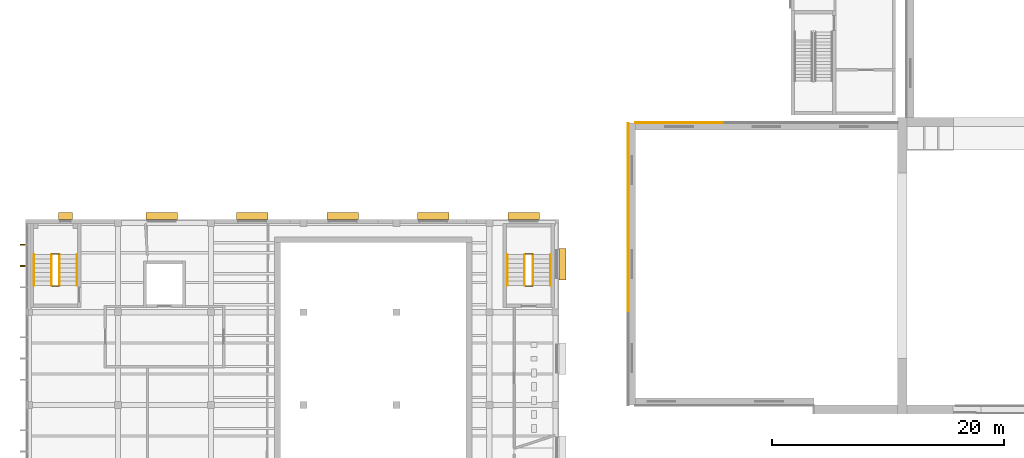
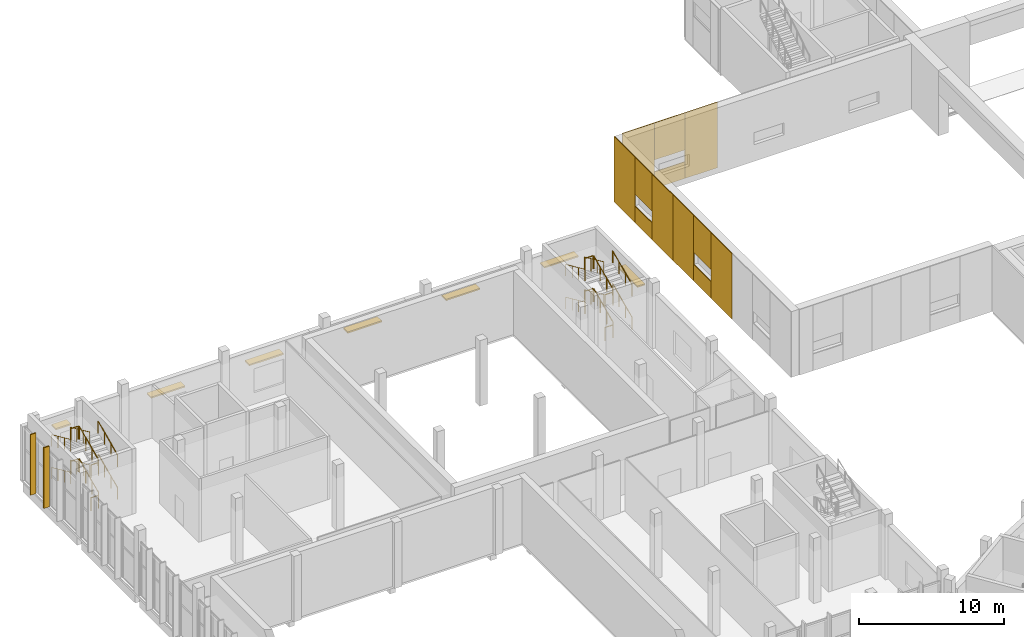
# One storey, part 65 of 87: 24 railings, 12 coverings, 9 shading devices.
"""IFC4 building model written with IfcOpenShell, lengths in metres."""

from ifc_helpers import new_model, si_unit, direction, frame, origin, origin_2d, place, context, subcontext, project, spatial, rectangle, circle, extrude, material, layer, layer_set, type_object, element, save


model = new_model("IFC4")

# Units and contexts
model_context = context("Model", 3, precision=1e-05, world=origin(), true_north=direction((0.0, 1.0)))
body_context = subcontext(model_context, "Body", "Model", "MODEL_VIEW")
ifc_project = project(units=[si_unit("LENGTHUNIT", "METRE"), si_unit("AREAUNIT", "SQUARE_METRE"), si_unit("VOLUMEUNIT", "CUBIC_METRE"), si_unit("PLANEANGLEUNIT", "RADIAN"), si_unit("MASSUNIT", "GRAM", prefix="KILO")], contexts=[model_context])

# Site, building, storey
site_placement = place(None, origin())
site = spatial("IfcSite", under=ifc_project, at=site_placement, CompositionType="ELEMENT")
building_placement = place(site_placement, origin())
building = spatial("IfcBuilding", under=site, at=building_placement, Name="Lunette Opera House", CompositionType="ELEMENT")
storey_placement = place(building_placement, frame((0.0, 0.0, 11.5)))
storey = spatial("IfcBuildingStorey", under=building, at=storey_placement, Name="L02", CompositionType="ELEMENT", Elevation=11.5)

# Shading devices
ifc_material_1 = material(Name="Powder-coated aluminium", Category="aluminium")
shading_device_type_1 = type_object("IfcShadingDeviceType", Name="SOLAR FIN 100 X 450", PredefinedType="USERDEFINED", material=ifc_material_1)
for number, where, z_axis, x_axis, name in (
    (1, (7.76708984375, 109.80908203125, 0.115478515625), (0.0, 0.0, 1.0), (-1.0, 0.0, 0.0), "Solar fin RW-X2029 1"),
    (2, (7.76708984375, 107.98291015625, 0.115478515625), (0.0, 0.0, 1.0), (-1.0, 0.0, 0.0), "Solar fin RW-X2029 2"),
):
    element("IfcShadingDevice", number, at=place(storey_placement, frame(where, z_axis=z_axis, x_axis=x_axis)), inside=storey, type_object=shading_device_type_1, Name=name, ObjectType="SOLAR FIN", PredefinedType="USERDEFINED", context=body_context, shape_type="SweptSolid", body=[
        extrude(rectangle(XDim=0.449951171875, YDim=0.10009765625, at=origin_2d()), origin(), (0.0, 0.0, 1.0), 5.0849609375),
    ])

# Railings
ifc_material_2 = material(Name="Steel S355", Category="steel")
railing_type_1 = type_object("IfcRailingType", Name="STAIR GUARD 1100", PredefinedType="GUARDRAIL", material=ifc_material_2)
railing_1_placement = place(storey_placement, frame((10.949951171875, 106.300048828125, 0.171875)))
element("IfcRailing", 3, at=railing_1_placement, inside=storey, type_object=railing_type_1, Name="L02 ST15 stair guard 1", PredefinedType="GUARDRAIL", context=body_context, shape_type="SweptSolid", body=[
    extrude(circle(Radius=0.02392578125, at=origin_2d()), frame((0.0, 0.0, 1.076171875), z_axis=(0.0, 0.911129605887, 0.412119935549), x_axis=(-1.0, 0.0, 0.0)), (0.0, 0.0, 1.0), 2.91943359375),
    extrude(circle(Radius=0.02099609375, at=origin_2d()), origin(), (0.0, 0.0, 1.0), 1.052001953125),
    extrude(circle(Radius=0.02099609375, at=origin_2d()), frame((0.0, 0.88671875, 0.401123046875)), (0.0, 0.0, 1.0), 1.052001953125),
    extrude(circle(Radius=0.02099609375, at=origin_2d()), frame((0.0, 1.773193359375, 0.802001953125)), (0.0, 0.0, 1.0), 1.052001953125),
    extrude(circle(Radius=0.02099609375, at=origin_2d()), frame((0.0, 2.659912109375, 1.203125)), (0.0, 0.0, 1.0), 1.052001953125),
])
railing_2_placement = place(storey_placement, frame((10.89990234375, 109.010009765625, 1.375)))
element("IfcRailing", 4, at=railing_2_placement, inside=storey, type_object=railing_type_1, Name="L02 ST15 stair guard 2", PredefinedType="GUARDRAIL", context=body_context, shape_type="SweptSolid", body=[
    extrude(circle(Radius=0.02392578125, at=origin_2d()), frame((0.0, 0.0, 1.076171875), z_axis=(-1.0, 0.0, 0.0), x_axis=(0.0, -1.0, 0.0)), (0.0, 0.0, 1.0), 0.599853515625),
    extrude(circle(Radius=0.02099609375, at=origin_2d()), origin(), (0.0, 0.0, 1.0), 1.052001953125),
    extrude(circle(Radius=0.02099609375, at=origin_2d()), frame((-0.599853515625, 0.0, 0.0)), (0.0, 0.0, 1.0), 1.052001953125),
])
railing_3_placement = place(storey_placement, frame((10.25, 108.9599609375, 1.546875)))
element("IfcRailing", 5, at=railing_3_placement, inside=storey, type_object=railing_type_1, Name="L02 ST15 stair guard 3", PredefinedType="GUARDRAIL", context=body_context, shape_type="SweptSolid", body=[
    extrude(circle(Radius=0.02392578125, at=origin_2d()), frame((0.0, 0.0, 1.076171875), z_axis=(0.0, -0.911129605887, 0.412119935549), x_axis=(1.0, 0.0, 0.0)), (0.0, 0.0, 1.0), 2.91943359375),
    extrude(circle(Radius=0.02099609375, at=origin_2d()), origin(), (0.0, 0.0, 1.0), 1.052001953125),
    extrude(circle(Radius=0.02099609375, at=origin_2d()), frame((0.0, -0.88671875, 0.401123046875)), (0.0, 0.0, 1.0), 1.052001953125),
    extrude(circle(Radius=0.02099609375, at=origin_2d()), frame((0.0, -1.773193359375, 0.802001953125)), (0.0, 0.0, 1.0), 1.052001953125),
    extrude(circle(Radius=0.02099609375, at=origin_2d()), frame((0.0, -2.659912109375, 1.203125)), (0.0, 0.0, 1.0), 1.052001953125),
])
railing_4_placement = place(storey_placement, frame((10.89990234375, 106.25, 2.75)))
element("IfcRailing", 6, at=railing_4_placement, inside=storey, type_object=railing_type_1, Name="L02 ST15 stair guard 4", PredefinedType="GUARDRAIL", context=body_context, shape_type="SweptSolid", body=[
    extrude(circle(Radius=0.02392578125, at=origin_2d()), frame((0.0, 0.0, 1.076171875), z_axis=(-1.0, 0.0, 0.0), x_axis=(0.0, -1.0, 0.0)), (0.0, 0.0, 1.0), 0.599853515625),
    extrude(circle(Radius=0.02099609375, at=origin_2d()), origin(), (0.0, 0.0, 1.0), 1.052001953125),
    extrude(circle(Radius=0.02099609375, at=origin_2d()), frame((-0.599853515625, 0.0, 0.0)), (0.0, 0.0, 1.0), 1.052001953125),
])
railing_5_placement = place(storey_placement, frame((10.949951171875, 106.300048828125, 2.921875)))
element("IfcRailing", 7, at=railing_5_placement, inside=storey, type_object=railing_type_1, Name="L02 ST15 stair guard 5", PredefinedType="GUARDRAIL", context=body_context, shape_type="SweptSolid", body=[
    extrude(circle(Radius=0.02392578125, at=origin_2d()), frame((0.0, 0.0, 1.076171875), z_axis=(0.0, 0.911129605887, 0.412119935549), x_axis=(-1.0, 0.0, 0.0)), (0.0, 0.0, 1.0), 2.91943359375),
    extrude(circle(Radius=0.02099609375, at=origin_2d()), origin(), (0.0, 0.0, 1.0), 1.052001953125),
    extrude(circle(Radius=0.02099609375, at=origin_2d()), frame((0.0, 0.88671875, 0.401123046875)), (0.0, 0.0, 1.0), 1.052001953125),
    extrude(circle(Radius=0.02099609375, at=origin_2d()), frame((0.0, 1.773193359375, 0.802001953125)), (0.0, 0.0, 1.0), 1.052001953125),
    extrude(circle(Radius=0.02099609375, at=origin_2d()), frame((0.0, 2.659912109375, 1.203125)), (0.0, 0.0, 1.0), 1.052001953125),
])
railing_6_placement = place(storey_placement, frame((10.89990234375, 109.010009765625, 4.125)))
element("IfcRailing", 8, at=railing_6_placement, inside=storey, type_object=railing_type_1, Name="L02 ST15 stair guard 6", PredefinedType="GUARDRAIL", context=body_context, shape_type="SweptSolid", body=[
    extrude(circle(Radius=0.02392578125, at=origin_2d()), frame((0.0, 0.0, 1.076171875), z_axis=(-1.0, 0.0, 0.0), x_axis=(0.0, -1.0, 0.0)), (0.0, 0.0, 1.0), 0.599853515625),
    extrude(circle(Radius=0.02099609375, at=origin_2d()), origin(), (0.0, 0.0, 1.0), 1.052001953125),
    extrude(circle(Radius=0.02099609375, at=origin_2d()), frame((-0.599853515625, 0.0, 0.0)), (0.0, 0.0, 1.0), 1.052001953125),
])
railing_7_placement = place(storey_placement, frame((10.25, 108.9599609375, 4.296875)))
element("IfcRailing", 9, at=railing_7_placement, inside=storey, type_object=railing_type_1, Name="L02 ST15 stair guard 7", PredefinedType="GUARDRAIL", context=body_context, shape_type="SweptSolid", body=[
    extrude(circle(Radius=0.02392578125, at=origin_2d()), frame((0.0, 0.0, 1.076171875), z_axis=(0.0, -0.911129605887, 0.412119935549), x_axis=(1.0, 0.0, 0.0)), (0.0, 0.0, 1.0), 2.91943359375),
    extrude(circle(Radius=0.02099609375, at=origin_2d()), origin(), (0.0, 0.0, 1.0), 1.052001953125),
    extrude(circle(Radius=0.02099609375, at=origin_2d()), frame((0.0, -0.88671875, 0.401123046875)), (0.0, 0.0, 1.0), 1.052001953125),
    extrude(circle(Radius=0.02099609375, at=origin_2d()), frame((0.0, -1.773193359375, 0.802001953125)), (0.0, 0.0, 1.0), 1.052001953125),
    extrude(circle(Radius=0.02099609375, at=origin_2d()), frame((0.0, -2.659912109375, 1.203125)), (0.0, 0.0, 1.0), 1.052001953125),
])
railing_8_placement = place(storey_placement, frame((10.89990234375, 106.25, 0.0)))
element("IfcRailing", 10, at=railing_8_placement, inside=storey, type_object=railing_type_1, Name="L02 ST15 stair guard 8", PredefinedType="GUARDRAIL", context=body_context, shape_type="SweptSolid", body=[
    extrude(circle(Radius=0.02392578125, at=origin_2d()), frame((0.0, 0.0, 1.076171875), z_axis=(-1.0, 0.0, 0.0), x_axis=(0.0, -1.0, 0.0)), (0.0, 0.0, 1.0), 0.599853515625),
    extrude(circle(Radius=0.02099609375, at=origin_2d()), origin(), (0.0, 0.0, 1.0), 1.052001953125),
    extrude(circle(Radius=0.02099609375, at=origin_2d()), frame((-0.599853515625, 0.0, 0.0)), (0.0, 0.0, 1.0), 1.052001953125),
])
railing_9_placement = place(storey_placement, frame((51.784912109375, 106.300048828125, 0.171875)))
element("IfcRailing", 11, at=railing_9_placement, inside=storey, type_object=railing_type_1, Name="L02 ST17 stair guard 1", PredefinedType="GUARDRAIL", context=body_context, shape_type="SweptSolid", body=[
    extrude(circle(Radius=0.02392578125, at=origin_2d()), frame((0.0, 0.0, 1.076171875), z_axis=(0.0, 0.911129605887, 0.412119935549), x_axis=(-1.0, 0.0, 0.0)), (0.0, 0.0, 1.0), 2.91943359375),
    extrude(circle(Radius=0.02099609375, at=origin_2d()), origin(), (0.0, 0.0, 1.0), 1.052001953125),
    extrude(circle(Radius=0.02099609375, at=origin_2d()), frame((0.0, 0.88671875, 0.401123046875)), (0.0, 0.0, 1.0), 1.052001953125),
    extrude(circle(Radius=0.02099609375, at=origin_2d()), frame((0.0, 1.773193359375, 0.802001953125)), (0.0, 0.0, 1.0), 1.052001953125),
    extrude(circle(Radius=0.02099609375, at=origin_2d()), frame((0.0, 2.659912109375, 1.203125)), (0.0, 0.0, 1.0), 1.052001953125),
])
railing_10_placement = place(storey_placement, frame((51.735107421875, 109.010009765625, 1.375)))
element("IfcRailing", 12, at=railing_10_placement, inside=storey, type_object=railing_type_1, Name="L02 ST17 stair guard 2", PredefinedType="GUARDRAIL", context=body_context, shape_type="SweptSolid", body=[
    extrude(circle(Radius=0.02392578125, at=origin_2d()), frame((0.0, 0.0, 1.076171875), z_axis=(-1.0, 0.0, 0.0), x_axis=(0.0, -1.0, 0.0)), (0.0, 0.0, 1.0), 0.635009765625),
    extrude(circle(Radius=0.02099609375, at=origin_2d()), origin(), (0.0, 0.0, 1.0), 1.052001953125),
    extrude(circle(Radius=0.02099609375, at=origin_2d()), frame((-0.635009765625, 0.0, 0.0)), (0.0, 0.0, 1.0), 1.052001953125),
])
railing_11_placement = place(storey_placement, frame((51.050048828125, 108.9599609375, 1.546875)))
element("IfcRailing", 13, at=railing_11_placement, inside=storey, type_object=railing_type_1, Name="L02 ST17 stair guard 3", PredefinedType="GUARDRAIL", context=body_context, shape_type="SweptSolid", body=[
    extrude(circle(Radius=0.02392578125, at=origin_2d()), frame((0.0, 0.0, 1.076171875), z_axis=(0.0, -0.911129605887, 0.412119935549), x_axis=(1.0, 0.0, 0.0)), (0.0, 0.0, 1.0), 2.91943359375),
    extrude(circle(Radius=0.02099609375, at=origin_2d()), origin(), (0.0, 0.0, 1.0), 1.052001953125),
    extrude(circle(Radius=0.02099609375, at=origin_2d()), frame((0.0, -0.88671875, 0.401123046875)), (0.0, 0.0, 1.0), 1.052001953125),
    extrude(circle(Radius=0.02099609375, at=origin_2d()), frame((0.0, -1.773193359375, 0.802001953125)), (0.0, 0.0, 1.0), 1.052001953125),
    extrude(circle(Radius=0.02099609375, at=origin_2d()), frame((0.0, -2.659912109375, 1.203125)), (0.0, 0.0, 1.0), 1.052001953125),
])
railing_12_placement = place(storey_placement, frame((51.735107421875, 106.25, 2.75)))
element("IfcRailing", 14, at=railing_12_placement, inside=storey, type_object=railing_type_1, Name="L02 ST17 stair guard 4", PredefinedType="GUARDRAIL", context=body_context, shape_type="SweptSolid", body=[
    extrude(circle(Radius=0.02392578125, at=origin_2d()), frame((0.0, 0.0, 1.076171875), z_axis=(-1.0, 0.0, 0.0), x_axis=(0.0, -1.0, 0.0)), (0.0, 0.0, 1.0), 0.635009765625),
    extrude(circle(Radius=0.02099609375, at=origin_2d()), origin(), (0.0, 0.0, 1.0), 1.052001953125),
    extrude(circle(Radius=0.02099609375, at=origin_2d()), frame((-0.635009765625, 0.0, 0.0)), (0.0, 0.0, 1.0), 1.052001953125),
])
railing_13_placement = place(storey_placement, frame((51.784912109375, 106.300048828125, 2.921875)))
element("IfcRailing", 15, at=railing_13_placement, inside=storey, type_object=railing_type_1, Name="L02 ST17 stair guard 5", PredefinedType="GUARDRAIL", context=body_context, shape_type="SweptSolid", body=[
    extrude(circle(Radius=0.02392578125, at=origin_2d()), frame((0.0, 0.0, 1.076171875), z_axis=(0.0, 0.911129605887, 0.412119935549), x_axis=(-1.0, 0.0, 0.0)), (0.0, 0.0, 1.0), 2.91943359375),
    extrude(circle(Radius=0.02099609375, at=origin_2d()), origin(), (0.0, 0.0, 1.0), 1.052001953125),
    extrude(circle(Radius=0.02099609375, at=origin_2d()), frame((0.0, 0.88671875, 0.401123046875)), (0.0, 0.0, 1.0), 1.052001953125),
    extrude(circle(Radius=0.02099609375, at=origin_2d()), frame((0.0, 1.773193359375, 0.802001953125)), (0.0, 0.0, 1.0), 1.052001953125),
    extrude(circle(Radius=0.02099609375, at=origin_2d()), frame((0.0, 2.659912109375, 1.203125)), (0.0, 0.0, 1.0), 1.052001953125),
])
railing_14_placement = place(storey_placement, frame((51.735107421875, 109.010009765625, 4.125)))
element("IfcRailing", 16, at=railing_14_placement, inside=storey, type_object=railing_type_1, Name="L02 ST17 stair guard 6", PredefinedType="GUARDRAIL", context=body_context, shape_type="SweptSolid", body=[
    extrude(circle(Radius=0.02392578125, at=origin_2d()), frame((0.0, 0.0, 1.076171875), z_axis=(-1.0, 0.0, 0.0), x_axis=(0.0, -1.0, 0.0)), (0.0, 0.0, 1.0), 0.635009765625),
    extrude(circle(Radius=0.02099609375, at=origin_2d()), origin(), (0.0, 0.0, 1.0), 1.052001953125),
    extrude(circle(Radius=0.02099609375, at=origin_2d()), frame((-0.635009765625, 0.0, 0.0)), (0.0, 0.0, 1.0), 1.052001953125),
])
railing_15_placement = place(storey_placement, frame((51.050048828125, 108.9599609375, 4.296875)))
element("IfcRailing", 17, at=railing_15_placement, inside=storey, type_object=railing_type_1, Name="L02 ST17 stair guard 7", PredefinedType="GUARDRAIL", context=body_context, shape_type="SweptSolid", body=[
    extrude(circle(Radius=0.02392578125, at=origin_2d()), frame((0.0, 0.0, 1.076171875), z_axis=(0.0, -0.911129605887, 0.412119935549), x_axis=(1.0, 0.0, 0.0)), (0.0, 0.0, 1.0), 2.91943359375),
    extrude(circle(Radius=0.02099609375, at=origin_2d()), origin(), (0.0, 0.0, 1.0), 1.052001953125),
    extrude(circle(Radius=0.02099609375, at=origin_2d()), frame((0.0, -0.88671875, 0.401123046875)), (0.0, 0.0, 1.0), 1.052001953125),
    extrude(circle(Radius=0.02099609375, at=origin_2d()), frame((0.0, -1.773193359375, 0.802001953125)), (0.0, 0.0, 1.0), 1.052001953125),
    extrude(circle(Radius=0.02099609375, at=origin_2d()), frame((0.0, -2.659912109375, 1.203125)), (0.0, 0.0, 1.0), 1.052001953125),
])
railing_16_placement = place(storey_placement, frame((51.735107421875, 106.25, 0.0)))
element("IfcRailing", 18, at=railing_16_placement, inside=storey, type_object=railing_type_1, Name="L02 ST17 stair guard 8", PredefinedType="GUARDRAIL", context=body_context, shape_type="SweptSolid", body=[
    extrude(circle(Radius=0.02392578125, at=origin_2d()), frame((0.0, 0.0, 1.076171875), z_axis=(-1.0, 0.0, 0.0), x_axis=(0.0, -1.0, 0.0)), (0.0, 0.0, 1.0), 0.635009765625),
    extrude(circle(Radius=0.02099609375, at=origin_2d()), origin(), (0.0, 0.0, 1.0), 1.052001953125),
    extrude(circle(Radius=0.02099609375, at=origin_2d()), frame((-0.635009765625, 0.0, 0.0)), (0.0, 0.0, 1.0), 1.052001953125),
])
ifc_material_3 = material(Name="Steel S355", Category="steel")
railing_type_2 = type_object("IfcRailingType", Name="STAIR HANDRAIL 1000", PredefinedType="HANDRAIL", material=ifc_material_3)
railing_17_placement = place(storey_placement, frame((12.449951171875, 106.300048828125, 0.171875)))
element("IfcRailing", 19, at=railing_17_placement, inside=storey, type_object=railing_type_2, Name="L02 ST15 stair handrail 1", PredefinedType="HANDRAIL", context=body_context, shape_type="SweptSolid", body=[
    extrude(circle(Radius=0.02392578125, at=origin_2d()), frame((0.0, 0.0, 0.97607421875), z_axis=(0.0, 0.911129605887, 0.412119935549), x_axis=(-1.0, 0.0, 0.0)), (0.0, 0.0, 1.0), 2.91943359375),
    extrude(circle(Radius=0.02099609375, at=origin_2d()), origin(), (0.0, 0.0, 1.0), 0.951904296875),
    extrude(circle(Radius=0.02099609375, at=origin_2d()), frame((0.0, 0.88671875, 0.401123046875)), (0.0, 0.0, 1.0), 0.951904296875),
    extrude(circle(Radius=0.02099609375, at=origin_2d()), frame((0.0, 1.773193359375, 0.802001953125)), (0.0, 0.0, 1.0), 0.951904296875),
    extrude(circle(Radius=0.02099609375, at=origin_2d()), frame((0.0, 2.659912109375, 1.203125)), (0.0, 0.0, 1.0), 0.951904296875),
])
railing_18_placement = place(storey_placement, frame((8.75, 108.9599609375, 1.546875)))
element("IfcRailing", 20, at=railing_18_placement, inside=storey, type_object=railing_type_2, Name="L02 ST15 stair handrail 2", PredefinedType="HANDRAIL", context=body_context, shape_type="SweptSolid", body=[
    extrude(circle(Radius=0.02392578125, at=origin_2d()), frame((0.0, 0.0, 0.97607421875), z_axis=(0.0, -0.911129605887, 0.412119935549), x_axis=(1.0, 0.0, 0.0)), (0.0, 0.0, 1.0), 2.91943359375),
    extrude(circle(Radius=0.02099609375, at=origin_2d()), origin(), (0.0, 0.0, 1.0), 0.951904296875),
    extrude(circle(Radius=0.02099609375, at=origin_2d()), frame((0.0, -0.88671875, 0.401123046875)), (0.0, 0.0, 1.0), 0.951904296875),
    extrude(circle(Radius=0.02099609375, at=origin_2d()), frame((0.0, -1.773193359375, 0.802001953125)), (0.0, 0.0, 1.0), 0.951904296875),
    extrude(circle(Radius=0.02099609375, at=origin_2d()), frame((0.0, -2.659912109375, 1.203125)), (0.0, 0.0, 1.0), 0.951904296875),
])
railing_19_placement = place(storey_placement, frame((12.449951171875, 106.300048828125, 2.921875)))
element("IfcRailing", 21, at=railing_19_placement, inside=storey, type_object=railing_type_2, Name="L02 ST15 stair handrail 3", PredefinedType="HANDRAIL", context=body_context, shape_type="SweptSolid", body=[
    extrude(circle(Radius=0.02392578125, at=origin_2d()), frame((0.0, 0.0, 0.97607421875), z_axis=(0.0, 0.911129605887, 0.412119935549), x_axis=(-1.0, 0.0, 0.0)), (0.0, 0.0, 1.0), 2.91943359375),
    extrude(circle(Radius=0.02099609375, at=origin_2d()), origin(), (0.0, 0.0, 1.0), 0.951904296875),
    extrude(circle(Radius=0.02099609375, at=origin_2d()), frame((0.0, 0.88671875, 0.401123046875)), (0.0, 0.0, 1.0), 0.951904296875),
    extrude(circle(Radius=0.02099609375, at=origin_2d()), frame((0.0, 1.773193359375, 0.802001953125)), (0.0, 0.0, 1.0), 0.951904296875),
    extrude(circle(Radius=0.02099609375, at=origin_2d()), frame((0.0, 2.659912109375, 1.203125)), (0.0, 0.0, 1.0), 0.951904296875),
])
railing_20_placement = place(storey_placement, frame((8.75, 108.9599609375, 4.296875)))
element("IfcRailing", 22, at=railing_20_placement, inside=storey, type_object=railing_type_2, Name="L02 ST15 stair handrail 4", PredefinedType="HANDRAIL", context=body_context, shape_type="SweptSolid", body=[
    extrude(circle(Radius=0.02392578125, at=origin_2d()), frame((0.0, 0.0, 0.97607421875), z_axis=(0.0, -0.911129605887, 0.412119935549), x_axis=(1.0, 0.0, 0.0)), (0.0, 0.0, 1.0), 2.91943359375),
    extrude(circle(Radius=0.02099609375, at=origin_2d()), origin(), (0.0, 0.0, 1.0), 0.951904296875),
    extrude(circle(Radius=0.02099609375, at=origin_2d()), frame((0.0, -0.88671875, 0.401123046875)), (0.0, 0.0, 1.0), 0.951904296875),
    extrude(circle(Radius=0.02099609375, at=origin_2d()), frame((0.0, -1.773193359375, 0.802001953125)), (0.0, 0.0, 1.0), 0.951904296875),
    extrude(circle(Radius=0.02099609375, at=origin_2d()), frame((0.0, -2.659912109375, 1.203125)), (0.0, 0.0, 1.0), 0.951904296875),
])
railing_21_placement = place(storey_placement, frame((53.284912109375, 106.300048828125, 0.171875)))
element("IfcRailing", 23, at=railing_21_placement, inside=storey, type_object=railing_type_2, Name="L02 ST17 stair handrail 1", PredefinedType="HANDRAIL", context=body_context, shape_type="SweptSolid", body=[
    extrude(circle(Radius=0.02392578125, at=origin_2d()), frame((0.0, 0.0, 0.97607421875), z_axis=(0.0, 0.911129605887, 0.412119935549), x_axis=(-1.0, 0.0, 0.0)), (0.0, 0.0, 1.0), 2.91943359375),
    extrude(circle(Radius=0.02099609375, at=origin_2d()), origin(), (0.0, 0.0, 1.0), 0.951904296875),
    extrude(circle(Radius=0.02099609375, at=origin_2d()), frame((0.0, 0.88671875, 0.401123046875)), (0.0, 0.0, 1.0), 0.951904296875),
    extrude(circle(Radius=0.02099609375, at=origin_2d()), frame((0.0, 1.773193359375, 0.802001953125)), (0.0, 0.0, 1.0), 0.951904296875),
    extrude(circle(Radius=0.02099609375, at=origin_2d()), frame((0.0, 2.659912109375, 1.203125)), (0.0, 0.0, 1.0), 0.951904296875),
])
railing_22_placement = place(storey_placement, frame((49.550048828125, 108.9599609375, 1.546875)))
element("IfcRailing", 24, at=railing_22_placement, inside=storey, type_object=railing_type_2, Name="L02 ST17 stair handrail 2", PredefinedType="HANDRAIL", context=body_context, shape_type="SweptSolid", body=[
    extrude(circle(Radius=0.02392578125, at=origin_2d()), frame((0.0, 0.0, 0.97607421875), z_axis=(0.0, -0.911129605887, 0.412119935549), x_axis=(1.0, 0.0, 0.0)), (0.0, 0.0, 1.0), 2.91943359375),
    extrude(circle(Radius=0.02099609375, at=origin_2d()), origin(), (0.0, 0.0, 1.0), 0.951904296875),
    extrude(circle(Radius=0.02099609375, at=origin_2d()), frame((0.0, -0.88671875, 0.401123046875)), (0.0, 0.0, 1.0), 0.951904296875),
    extrude(circle(Radius=0.02099609375, at=origin_2d()), frame((0.0, -1.773193359375, 0.802001953125)), (0.0, 0.0, 1.0), 0.951904296875),
    extrude(circle(Radius=0.02099609375, at=origin_2d()), frame((0.0, -2.659912109375, 1.203125)), (0.0, 0.0, 1.0), 0.951904296875),
])
railing_23_placement = place(storey_placement, frame((53.284912109375, 106.300048828125, 2.921875)))
element("IfcRailing", 25, at=railing_23_placement, inside=storey, type_object=railing_type_2, Name="L02 ST17 stair handrail 3", PredefinedType="HANDRAIL", context=body_context, shape_type="SweptSolid", body=[
    extrude(circle(Radius=0.02392578125, at=origin_2d()), frame((0.0, 0.0, 0.97607421875), z_axis=(0.0, 0.911129605887, 0.412119935549), x_axis=(-1.0, 0.0, 0.0)), (0.0, 0.0, 1.0), 2.91943359375),
    extrude(circle(Radius=0.02099609375, at=origin_2d()), origin(), (0.0, 0.0, 1.0), 0.951904296875),
    extrude(circle(Radius=0.02099609375, at=origin_2d()), frame((0.0, 0.88671875, 0.401123046875)), (0.0, 0.0, 1.0), 0.951904296875),
    extrude(circle(Radius=0.02099609375, at=origin_2d()), frame((0.0, 1.773193359375, 0.802001953125)), (0.0, 0.0, 1.0), 0.951904296875),
    extrude(circle(Radius=0.02099609375, at=origin_2d()), frame((0.0, 2.659912109375, 1.203125)), (0.0, 0.0, 1.0), 0.951904296875),
])
railing_24_placement = place(storey_placement, frame((49.550048828125, 108.9599609375, 4.296875)))
element("IfcRailing", 26, at=railing_24_placement, inside=storey, type_object=railing_type_2, Name="L02 ST17 stair handrail 4", PredefinedType="HANDRAIL", context=body_context, shape_type="SweptSolid", body=[
    extrude(circle(Radius=0.02392578125, at=origin_2d()), frame((0.0, 0.0, 0.97607421875), z_axis=(0.0, -0.911129605887, 0.412119935549), x_axis=(1.0, 0.0, 0.0)), (0.0, 0.0, 1.0), 2.91943359375),
    extrude(circle(Radius=0.02099609375, at=origin_2d()), origin(), (0.0, 0.0, 1.0), 0.951904296875),
    extrude(circle(Radius=0.02099609375, at=origin_2d()), frame((0.0, -0.88671875, 0.401123046875)), (0.0, 0.0, 1.0), 0.951904296875),
    extrude(circle(Radius=0.02099609375, at=origin_2d()), frame((0.0, -1.773193359375, 0.802001953125)), (0.0, 0.0, 1.0), 0.951904296875),
    extrude(circle(Radius=0.02099609375, at=origin_2d()), frame((0.0, -2.659912109375, 1.203125)), (0.0, 0.0, 1.0), 0.951904296875),
])

# Coverings
ifc_material_4 = material(Name="Aluminium standing seam cladding", Category="aluminium")
ifc_layer_1 = layer(ifc_material_4, 0.06005859375)
ifc_layer_set_1 = layer_set([ifc_layer_1], Name="Aluminium standing seam cladding")
covering_type = type_object("IfcCoveringType", Name="STANDING SEAM CLADDING 60", PredefinedType="CLADDING", material=ifc_layer_set_1)
covering_1_placement = place(storey_placement, frame((59.969970703125, 105.52490234375, 0.0), z_axis=(0.0, 0.0, 1.0), x_axis=(0.0, 1.0, 0.0)))
element("IfcCovering", 27, at=covering_1_placement, inside=storey, type_object=covering_type, Name="Standing seam cladding SW-W-1 L02 21", PredefinedType="CLADDING", context=body_context, shape_type="SweptSolid", body=[
    extrude(rectangle(XDim=2.85009765625, YDim=0.06005859375, at=origin_2d()), origin(), (0.0, 0.0, 1.0), 5.5),
])
covering_2_placement = place(storey_placement, frame((59.969970703125, 108.14990234375, 0.0), z_axis=(0.0, 0.0, 1.0), x_axis=(0.0, 1.0, 0.0)))
element("IfcCovering", 28, at=covering_2_placement, inside=storey, type_object=covering_type, Name="Standing seam cladding SW-W-1 L02 30", PredefinedType="CLADDING", context=body_context, shape_type="SweptSolid", body=[
    extrude(rectangle(XDim=2.39990234375, YDim=0.06005859375, at=origin_2d()), origin(), (0.0, 0.0, 1.0), 1.39990234375),
])
covering_3_placement = place(storey_placement, frame((59.969970703125, 108.14990234375, 2.39990234375), z_axis=(0.0, 0.0, 1.0), x_axis=(0.0, 1.0, 0.0)))
element("IfcCovering", 29, at=covering_3_placement, inside=storey, type_object=covering_type, Name="Standing seam cladding SW-W-1 L02 31", PredefinedType="CLADDING", context=body_context, shape_type="SweptSolid", body=[
    extrude(rectangle(XDim=2.39990234375, YDim=0.06005859375, at=origin_2d()), origin(), (0.0, 0.0, 1.0), 3.10009765625),
])
for number, where, z_axis, x_axis, name in (
    (30, (59.969970703125, 110.77490234375, 0.0), (0.0, 0.0, 1.0), (0.0, 1.0, 0.0), "Standing seam cladding SW-W-1 L02 40"),
    (31, (59.969970703125, 113.625, 0.0), (0.0, 0.0, 1.0), (0.0, 1.0, 0.0), "Standing seam cladding SW-W-1 L02 41"),
):
    element("IfcCovering", number, at=place(storey_placement, frame(where, z_axis=z_axis, x_axis=x_axis)), inside=storey, type_object=covering_type, Name=name, PredefinedType="CLADDING", context=body_context, shape_type="SweptSolid", body=[
        extrude(rectangle(XDim=2.85009765625, YDim=0.06005859375, at=origin_2d()), origin(), (0.0, 0.0, 1.0), 5.5),
    ])
covering_4_placement = place(storey_placement, frame((59.969970703125, 116.25, 0.0), z_axis=(0.0, 0.0, 1.0), x_axis=(0.0, 1.0, 0.0)))
element("IfcCovering", 32, at=covering_4_placement, inside=storey, type_object=covering_type, Name="Standing seam cladding SW-W-1 L02 50", PredefinedType="CLADDING", context=body_context, shape_type="SweptSolid", body=[
    extrude(rectangle(XDim=2.39990234375, YDim=0.06005859375, at=origin_2d()), origin(), (0.0, 0.0, 1.0), 1.39990234375),
])
covering_5_placement = place(storey_placement, frame((59.969970703125, 116.25, 2.39990234375), z_axis=(0.0, 0.0, 1.0), x_axis=(0.0, 1.0, 0.0)))
element("IfcCovering", 33, at=covering_5_placement, inside=storey, type_object=covering_type, Name="Standing seam cladding SW-W-1 L02 51", PredefinedType="CLADDING", context=body_context, shape_type="SweptSolid", body=[
    extrude(rectangle(XDim=2.39990234375, YDim=0.06005859375, at=origin_2d()), origin(), (0.0, 0.0, 1.0), 3.10009765625),
])
covering_6_placement = place(storey_placement, frame((59.969970703125, 118.875, 0.0), z_axis=(0.0, 0.0, 1.0), x_axis=(0.0, 1.0, 0.0)))
element("IfcCovering", 34, at=covering_6_placement, inside=storey, type_object=covering_type, Name="Standing seam cladding SW-W-1 L02 60", PredefinedType="CLADDING", context=body_context, shape_type="SweptSolid", body=[
    extrude(rectangle(XDim=2.85009765625, YDim=0.06005859375, at=origin_2d()), origin(), (0.0, 0.0, 1.0), 5.5),
])
covering_7_placement = place(storey_placement, frame((61.883056640625, 120.330078125, 0.0), z_axis=(0.0, 0.0, 1.0), x_axis=(1.0, 0.0, 0.0)))
element("IfcCovering", 35, at=covering_7_placement, inside=storey, type_object=covering_type, Name="Standing seam cladding SW-N-1 L02 00", PredefinedType="CLADDING", context=body_context, shape_type="SweptSolid", body=[
    extrude(rectangle(XDim=2.56689453125, YDim=0.06005859375, at=origin_2d()), origin(), (0.0, 0.0, 1.0), 5.5),
])
covering_8_placement = place(storey_placement, frame((64.366943359375, 120.330078125, 0.0), z_axis=(0.0, 0.0, 1.0), x_axis=(1.0, 0.0, 0.0)))
element("IfcCovering", 36, at=covering_8_placement, inside=storey, type_object=covering_type, Name="Standing seam cladding SW-N-1 L02 10", PredefinedType="CLADDING", context=body_context, shape_type="SweptSolid", body=[
    extrude(rectangle(XDim=2.39990234375, YDim=0.06005859375, at=origin_2d()), origin(), (0.0, 0.0, 1.0), 1.39990234375),
])
covering_9_placement = place(storey_placement, frame((64.366943359375, 120.330078125, 2.39990234375), z_axis=(0.0, 0.0, 1.0), x_axis=(1.0, 0.0, 0.0)))
element("IfcCovering", 37, at=covering_9_placement, inside=storey, type_object=covering_type, Name="Standing seam cladding SW-N-1 L02 11", PredefinedType="CLADDING", context=body_context, shape_type="SweptSolid", body=[
    extrude(rectangle(XDim=2.39990234375, YDim=0.06005859375, at=origin_2d()), origin(), (0.0, 0.0, 1.0), 3.10009765625),
])
covering_10_placement = place(storey_placement, frame((66.85009765625, 120.330078125, 0.0), z_axis=(0.0, 0.0, 1.0), x_axis=(1.0, 0.0, 0.0)))
element("IfcCovering", 38, at=covering_10_placement, inside=storey, type_object=covering_type, Name="Standing seam cladding SW-N-1 L02 20", PredefinedType="CLADDING", context=body_context, shape_type="SweptSolid", body=[
    extrude(rectangle(XDim=2.56689453125, YDim=0.06005859375, at=origin_2d()), origin(), (0.0, 0.0, 1.0), 5.5),
])

# Shading devices
ifc_material_5 = material(Name="Powder-coated aluminium", Category="aluminium")
ifc_layer_2 = layer(ifc_material_5, 0.1201171875)
ifc_layer_set_2 = layer_set([ifc_layer_2], Name="Powder-coated aluminium")
shading_device_type_2 = type_object("IfcShadingDeviceType", Name="WINDOW HOOD 600 X 1200", PredefinedType="USERDEFINED", material=ifc_layer_set_2)
shading_device_placement = place(storey_placement, frame((11.450927734375, 112.299072265625, 3.079833984375), z_axis=(0.0, 0.0, 1.0), x_axis=(0.0, 1.0, 0.0)))
element("IfcShadingDevice", 39, at=shading_device_placement, inside=storey, type_object=shading_device_type_2, Name="Window hood RW-N2062", ObjectType="WINDOW HOOD", PredefinedType="USERDEFINED", context=body_context, shape_type="SweptSolid", body=[
    extrude(rectangle(XDim=0.60009765625, YDim=1.199951171875, at=origin_2d()), origin(), (0.0, 0.0, 1.0), 0.1201171875),
])
ifc_material_6 = material(Name="Powder-coated aluminium", Category="aluminium")
ifc_layer_3 = layer(ifc_material_6, 0.1201171875)
ifc_layer_set_3 = layer_set([ifc_layer_3], Name="Powder-coated aluminium")
shading_device_type_3 = type_object("IfcShadingDeviceType", Name="WINDOW HOOD 600 X 2700", PredefinedType="USERDEFINED", material=ifc_layer_set_3)
for number, where, z_axis, x_axis, name in (
    (40, (54.300048828125, 108.14990234375, 3.079833984375), (0.0, 0.0, 1.0), (1.0, 0.0, 0.0), "Window hood RW-N2030"),
    (41, (50.967041015625, 112.299072265625, 3.079833984375), (0.0, 0.0, 1.0), (0.0, 1.0, 0.0), "Window hood RW-N2031"),
    (42, (43.1640625, 112.299072265625, 3.079833984375), (0.0, 0.0, 1.0), (0.0, 1.0, 0.0), "Window hood RW-N2032"),
    (43, (35.361083984375, 112.299072265625, 3.079833984375), (0.0, 0.0, 1.0), (0.0, 1.0, 0.0), "Window hood RW-N2033"),
    (44, (27.55810546875, 112.299072265625, 3.079833984375), (0.0, 0.0, 1.0), (0.0, 1.0, 0.0), "Window hood RW-N2034"),
    (45, (19.756103515625, 112.299072265625, 3.079833984375), (0.0, 0.0, 1.0), (0.0, 1.0, 0.0), "Window hood RW-N2035"),
):
    element("IfcShadingDevice", number, at=place(storey_placement, frame(where, z_axis=z_axis, x_axis=x_axis)), inside=storey, type_object=shading_device_type_3, Name=name, ObjectType="WINDOW HOOD", PredefinedType="USERDEFINED", context=body_context, shape_type="SweptSolid", body=[
        extrude(rectangle(XDim=0.60009765625, YDim=2.699951171875, at=origin_2d()), origin(), (0.0, 0.0, 1.0), 0.1201171875),
    ])

save(model, "model.ifc")
